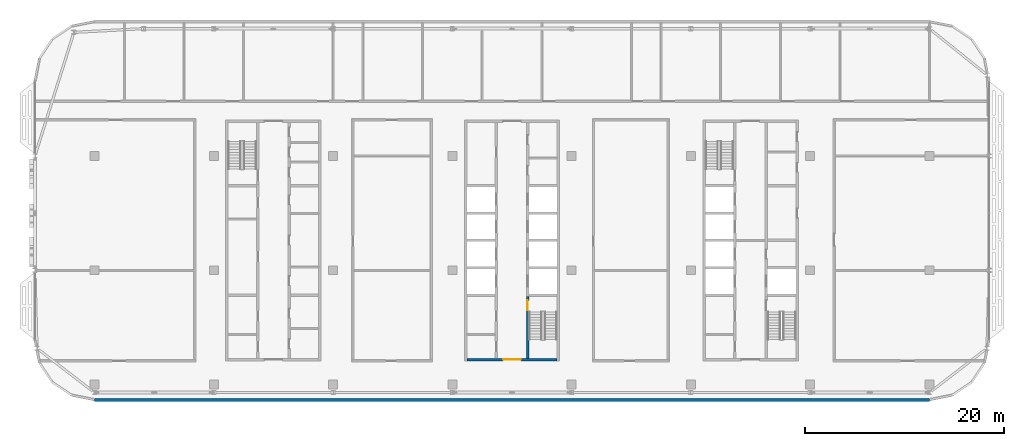
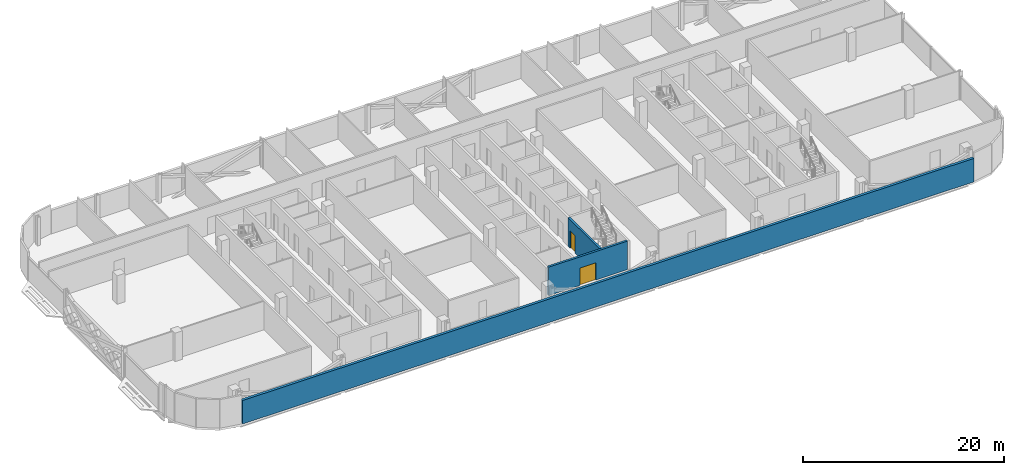
# One storey, part 14 of 29: 3 walls, 2 doors, 2 openings.
"""IFC4 building model written with IfcOpenShell, lengths in metres."""

from ifc_helpers import new_model, si_unit, direction, frame, frame_2d, origin, place, context, subcontext, project, spatial, rectangle, extrude, material, layer, layer_set, type_object, element, fill, save


model = new_model("IFC4")

# Units and contexts
model_context = context("Model", 3, precision=1e-05, world=origin(), true_north=direction((0.0, 1.0)))
body_context = subcontext(model_context, "Body", "Model", "MODEL_VIEW")
ifc_project = project(units=[si_unit("LENGTHUNIT", "METRE"), si_unit("AREAUNIT", "SQUARE_METRE"), si_unit("VOLUMEUNIT", "CUBIC_METRE"), si_unit("PLANEANGLEUNIT", "RADIAN"), si_unit("MASSUNIT", "GRAM", prefix="KILO")], contexts=[model_context])

# Site, building, storey
site_placement = place(None, origin())
site = spatial("IfcSite", under=ifc_project, at=site_placement, CompositionType="ELEMENT")
building_placement = place(site_placement, origin())
building = spatial("IfcBuilding", under=site, at=building_placement, Name="Mahtab Terrace Research Tower", CompositionType="ELEMENT")
storey_placement = place(building_placement, frame((0.0, 0.0, 274.699951171875)))
storey = spatial("IfcBuildingStorey", under=building, at=storey_placement, Name="L67", CompositionType="ELEMENT", Elevation=274.699951171875)

# Wall, opening, door
ifc_material_1 = material(Name="Concrete C70/85", Category="concrete")
ifc_layer_1 = layer(ifc_material_1, 0.25)
ifc_layer_set_1 = layer_set([ifc_layer_1], Name="Core wall 250")
wall_type_1 = type_object("IfcWallType", Name="Core wall 250", PredefinedType="SOLIDWALL", material=ifc_layer_set_1)
wall_1_placement = place(storey_placement, frame((4.550048828125, -9.0, 0.0), z_axis=(0.0, 0.0, 1.0), x_axis=(-1.0, 0.0, 0.0)))
wall_1 = element("IfcWall", 1, at=wall_1_placement, inside=storey, type_object=wall_type_1, Name="Core wall B endS", PredefinedType="SOLIDWALL", context=body_context, shape_type="SweptSolid", body=[
    extrude(rectangle(XDim=9.10009765625, YDim=0.25, at=frame_2d((4.550048828125, 0.0))), origin(), (0.0, 0.0, 1.0), 3.4599609375),
])
opening_1_placement = place(wall_1_placement, frame((3.64990234375, 0.0, 0.0)))
opening_1 = element("IfcOpeningElement", 2, at=opening_1_placement, cuts=wall_1, Name="Opening B-S1", PredefinedType="OPENING", context=body_context, shape_type="SweptSolid", body=[
    extrude(rectangle(XDim=1.800048828125, YDim=2.10009765625, at=frame_2d((0.89990234375, 1.050048828125))), frame((0.0, 0.135009765625, 0.0), z_axis=(0.0, -1.0, 0.0), x_axis=(1.0, 0.0, 0.0)), (0.0, 0.0, 1.0), 0.27001953125),
])
ifc_material_2 = material(Name="Steel fire door", Category="steel")
door_type_1 = type_object("IfcDoorType", Name="Lobby double door 1800x2100 1 HR", OperationType="DOUBLE_DOOR_SINGLE_SWING", PredefinedType="DOOR", material=ifc_material_2)
door_1_placement = place(opening_1_placement, origin())
door_1 = element("IfcDoor", 3, at=door_1_placement, inside=storey, type_object=door_type_1, Name="Core entrance door B S", OperationType="DOUBLE_DOOR_SINGLE_SWING", OverallHeight=2.10009765625, OverallWidth=1.800048828125, PredefinedType="DOOR", context=body_context, shape_type="SweptSolid", body=[
    extrude(rectangle(XDim=1.800048828125, YDim=2.10009765625, at=frame_2d((0.89990234375, 1.050048828125))), frame((0.0, 0.02490234375, 0.0), z_axis=(0.0, -1.0, 0.0), x_axis=(1.0, 0.0, 0.0)), (0.0, 0.0, 1.0), 0.050048828125),
])
fill(opening_1, door_1)

wall_2_placement = place(storey_placement, frame((1.574951171875, -8.875, 0.0), z_axis=(0.0, 0.0, 1.0), x_axis=(0.0, 1.0, 0.0)))
wall_2 = element("IfcWall", 4, at=wall_2_placement, inside=storey, type_object=wall_type_1, Name="Core wall B innerES", PredefinedType="SOLIDWALL", context=body_context, shape_type="SweptSolid", body=[
    extrude(rectangle(XDim=6.25, YDim=0.25, at=frame_2d((3.125, 0.0))), origin(), (0.0, 0.0, 1.0), 3.4599609375),
])
opening_2_placement = place(wall_2_placement, frame((4.85009765625, 0.0, 0.0)))
opening_2 = element("IfcOpeningElement", 5, at=opening_2_placement, cuts=wall_2, Name="Opening B-ST2", PredefinedType="OPENING", context=body_context, shape_type="SweptSolid", body=[
    extrude(rectangle(XDim=1.0, YDim=2.10009765625, at=frame_2d((0.5, 1.050048828125))), frame((0.0, 0.135009765625, 0.0), z_axis=(0.0, -1.0, 0.0), x_axis=(1.0, 0.0, 0.0)), (0.0, 0.0, 1.0), 0.27001953125),
])
door_type_2 = type_object("IfcDoorType", Name="Stair door 1000x2100 1.5 HR", OperationType="NOTDEFINED", PredefinedType="DOOR", material=ifc_material_2)
door_2_placement = place(opening_2_placement, origin())
door_2 = element("IfcDoor", 6, at=door_2_placement, inside=storey, type_object=door_type_2, Name="Stair door ST2 L67", OperationType="SINGLE_SWING_RIGHT", OverallHeight=2.10009765625, OverallWidth=1.0, PredefinedType="DOOR", context=body_context, shape_type="SweptSolid", body=[
    extrude(rectangle(XDim=1.0, YDim=2.10009765625, at=frame_2d((0.5, 1.050048828125))), frame((0.0, 0.02490234375, 0.0), z_axis=(0.0, -1.0, 0.0), x_axis=(1.0, 0.0, 0.0)), (0.0, 0.0, 1.0), 0.050048828125),
])
fill(opening_2, door_2)

# Wall
ifc_material_3 = material(Name="Black aluminium cladding panel", Category="aluminium")
ifc_layer_2 = layer(ifc_material_3, 0.300048828125)
ifc_layer_set_2 = layer_set([ifc_layer_2], Name="Opaque facade wall 300")
wall_type_2 = type_object("IfcWallType", Name="Opaque facade wall 300", PredefinedType="NOTDEFINED", material=ifc_layer_set_2)
wall_3_placement = place(storey_placement, frame((-42.0, -13.029052734375, 0.0), z_axis=(0.0, 0.0, 1.0), x_axis=(1.0, 0.0, 0.0)))
element("IfcWall", 7, at=wall_3_placement, inside=storey, type_object=wall_type_2, Name="Opaque facade wall L67 S16", PredefinedType="NOTDEFINED", context=body_context, shape_type="SweptSolid", body=[
    extrude(rectangle(XDim=84.0, YDim=0.300048828125, at=frame_2d((42.0, 0.0))), origin(), (0.0, 0.0, 1.0), 2.85302734375),
])

save(model, "model.ifc")
